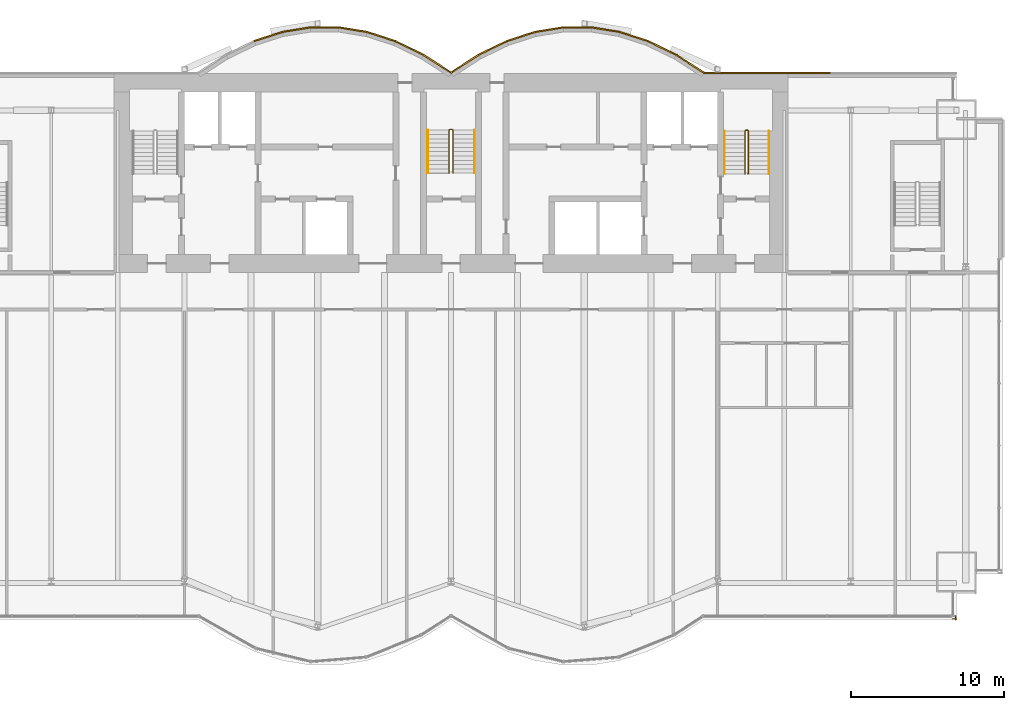
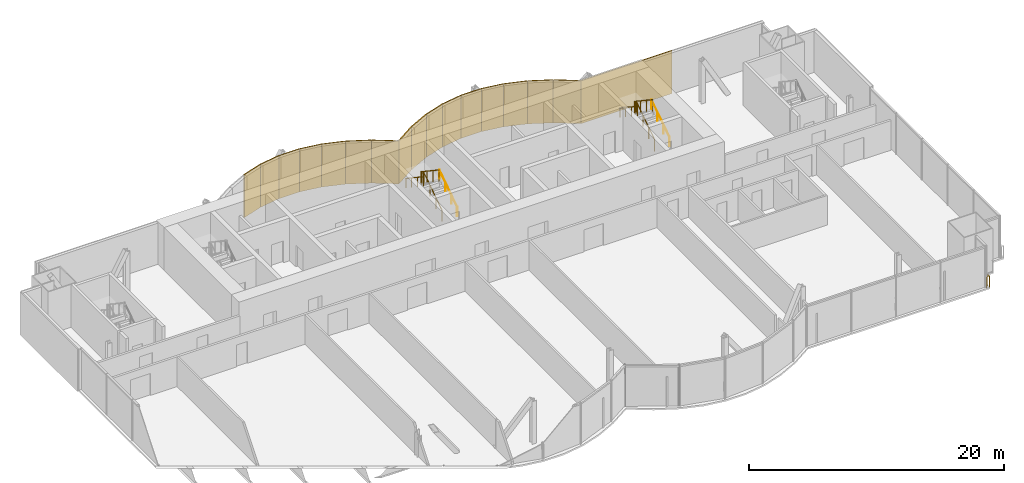
# One storey, part 21 of 22: 17 coverings, 7 railings.
"""IFC4 building model written with IfcOpenShell, lengths in metres."""

import ifcopenshell
import ifcopenshell.guid

model = None  # the IFC model being written
_history = None  # IfcOwnerHistory: only IFC2X3 demands one
_inside = {}  # id of a spatial element -> (the spatial element, [elements in it])
_under = {}  # id of a project, library or spatial element -> (it, [spatial elements below it])
_declared = {}  # id of a project -> (the project, [libraries it declares])
_typed = {}  # id of a type object -> (the type object, [elements of that type])
_made_of = {}  # id of a material, layer set ... -> (it, [elements and type objects made of it])


def new_model(schema):
    """Start an empty IFC model of exactly this schema.

    Asked for "IFC4X3", IfcOpenShell would pick the latest addendum, in which some entities
    have other attributes; the version numbers below select the first issue.
    IFC2X3 requires an IfcOwnerHistory on every rooted entity: one is made here for all.
    """
    global model, _history
    if schema == "IFC4X3":
        model = ifcopenshell.file(schema_version=(4, 3, 0, 0))
    else:
        model = ifcopenshell.file(schema=schema)
    _inside.clear()
    _under.clear()
    _declared.clear()
    _typed.clear()
    _made_of.clear()
    _history = None
    if model.schema == "IFC2X3":
        org = make("IfcOrganization", Name="unknown")
        user = make(
            "IfcPersonAndOrganization",
            ThePerson=make("IfcPerson", FamilyName="unknown"),
            TheOrganization=org,
        )
        app = make(
            "IfcApplication",
            ApplicationDeveloper=org,
            Version="unknown",
            ApplicationFullName="unknown",
            ApplicationIdentifier="unknown",
        )
        _history = make(
            "IfcOwnerHistory",
            OwningUser=user,
            OwningApplication=app,
            ChangeAction="ADDED",
            CreationDate=0,
        )
    return model


def make(cls, **values):
    """One entity of the class cls with the attributes given. An attribute that is None is left unset."""
    return model.create_entity(
        cls, **{name: value for name, value in values.items() if value is not None}
    )


def rooted(cls, **values):
    """An entity with a GlobalId (a new one), such as an element, a storey or a relation."""
    return make(cls, GlobalId=ifcopenshell.guid.new(), OwnerHistory=_history, **values)


def si_unit(unit_type, name, prefix=None):
    """IfcSIUnit, for example si_unit("LENGTHUNIT", "METRE", prefix="MILLI")."""
    return make("IfcSIUnit", UnitType=unit_type, Prefix=prefix, Name=name)


def assignment(units):
    """IfcUnitAssignment: the units of a project."""
    return None if units is None else make("IfcUnitAssignment", Units=units)


def point(xyz):
    """IfcCartesianPoint."""
    return None if xyz is None else make("IfcCartesianPoint", Coordinates=xyz)


def direction(xyz):
    """IfcDirection."""
    return None if xyz is None else make("IfcDirection", DirectionRatios=xyz)


def frame(location, z_axis=None, x_axis=None):
    """IfcAxis2Placement3D, a coordinate frame: its origin and axes. An axis left out is left unset."""
    return make(
        "IfcAxis2Placement3D",
        Location=point(location),
        Axis=direction(z_axis),
        RefDirection=direction(x_axis),
    )


def frame_2d(location, x_axis=None):
    """IfcAxis2Placement2D, a coordinate frame in the plane: its origin and x axis."""
    return make(
        "IfcAxis2Placement2D", Location=point(location), RefDirection=direction(x_axis)
    )


def origin():
    """The frame at (0, 0, 0) with its axes left unset."""
    return frame((0.0, 0.0, 0.0))


def origin_2d():
    """The frame at (0, 0) in the plane with its x axis left unset."""
    return frame_2d((0.0, 0.0))


def place(relative_to, where):
    """IfcLocalPlacement: puts the frame where relative to a parent placement (None: the world)."""
    return make(
        "IfcLocalPlacement", PlacementRelTo=relative_to, RelativePlacement=where
    )


def context(
    kind, dimensions, precision=None, world=None, true_north=None, identifier=None
):
    """IfcGeometricRepresentationContext, for example the 3D "Model" context."""
    return make(
        "IfcGeometricRepresentationContext",
        ContextIdentifier=identifier,
        ContextType=kind,
        CoordinateSpaceDimension=dimensions,
        Precision=precision,
        WorldCoordinateSystem=world,
        TrueNorth=true_north,
    )


def subcontext(parent, identifier, kind, view, scale=None):
    """IfcGeometricRepresentationSubContext, for example "Body" below "Model"."""
    return make(
        "IfcGeometricRepresentationSubContext",
        ContextIdentifier=identifier,
        ContextType=kind,
        ParentContext=parent,
        TargetScale=scale,
        TargetView=view,
    )


def project(units=None, contexts=None):
    """IfcProject with its units and contexts."""
    return rooted(
        "IfcProject",
        Name="project",
        RepresentationContexts=contexts,
        UnitsInContext=assignment(units),
    )


def spatial(cls, under=None, at=None, **own):
    """A site, building, storey or space (cls), placed at a placement, below another one or the project."""
    s = rooted(cls, ObjectPlacement=at, **own)
    if under is not None:
        _under.setdefault(under.id(), (under, []))[1].append(s)
    return s


def profile(cls, at=None, kind="AREA", **sizes):
    """A parametric profile (cls). Its sizes go by their IFC names, for example OverallWidth=200.0."""
    return make(cls, ProfileType=kind, Position=at, **sizes)


def rectangle(**sizes):
    """IfcRectangleProfileDef."""
    return profile("IfcRectangleProfileDef", **sizes)


def circle(**sizes):
    """IfcCircleProfileDef."""
    return profile("IfcCircleProfileDef", **sizes)


def extrude(swept, where, along, depth):
    """IfcExtrudedAreaSolid: the profile swept, set in the frame where, extruded along a direction by depth."""
    return make(
        "IfcExtrudedAreaSolid",
        SweptArea=swept,
        Position=where,
        ExtrudedDirection=direction(along),
        Depth=depth,
    )


def shape(context_of_items, identifier, shape_type, items):
    """IfcShapeRepresentation: the items that make up one representation, for example the "Body"."""
    return make(
        "IfcShapeRepresentation",
        ContextOfItems=context_of_items,
        RepresentationIdentifier=identifier,
        RepresentationType=shape_type,
        Items=items,
    )


def material(Name=None, Category=None):
    """IfcMaterial."""
    return make("IfcMaterial", Name=Name, Category=Category)


def layer(
    of_material, thickness, ventilated=None, Name=None, Category=None, Priority=None
):
    """IfcMaterialLayer: one layer of a wall or slab, of a material (None: an air gap)."""
    return make(
        "IfcMaterialLayer",
        Material=of_material,
        LayerThickness=thickness,
        IsVentilated=ventilated,
        Name=Name,
        Category=Category,
        Priority=Priority,
    )


def layer_set(layers, Name=None):
    """IfcMaterialLayerSet."""
    return make("IfcMaterialLayerSet", MaterialLayers=layers, LayerSetName=Name)


def made_of(thing, what):
    """Note that an element or type object is made of a material, layer set ...; save() writes the relation."""
    if what is not None:
        _made_of.setdefault(what.id(), (what, []))[1].append(thing)
    return thing


def type_object(cls, material=None, **own):
    """A type object (cls), such as IfcWallType, which elements share."""
    return made_of(rooted(cls, **own), material)


def element(
    cls,
    number,
    at=None,
    inside=None,
    cuts=None,
    type_object=None,
    material=None,
    context=None,
    identifier="Body",
    shape_type=None,
    held_by="IfcProductDefinitionShape",
    body=None,
    shapes=None,
    **own,
):
    """One element of the class cls, such as IfcWall. Its Tag is "e" and its number.

    at: its placement. inside: the storey or other place that contains it. cuts: it is an
    opening in that element (IfcRelVoidsElement). A single representation is given by context,
    identifier, shape_type and body (its items); several are given by shapes. held_by: the class
    of the entity that holds the representations. save() writes the other relations.
    """
    e = rooted(cls, Tag="e%d" % number, ObjectPlacement=at, **own)
    if body is not None:
        shapes = [shape(context, identifier, shape_type, body)]
    if shapes is not None:
        e.Representation = make(held_by, Representations=shapes)
    if inside is not None:
        _inside.setdefault(inside.id(), (inside, []))[1].append(e)
    if cuts is not None:
        rooted(
            "IfcRelVoidsElement", RelatingBuildingElement=cuts, RelatedOpeningElement=e
        )
    if type_object is not None:
        _typed.setdefault(type_object.id(), (type_object, []))[1].append(e)
    return made_of(e, material)


def aggregate(whole, parts):
    """IfcRelAggregates: a whole, such as a stair, and the parts it consists of."""
    return rooted("IfcRelAggregates", RelatingObject=whole, RelatedObjects=parts)


def save(model, path):
    """Write the relations noted so far, then the file.

    IfcRelAggregates (storeys below a building ...), IfcRelContainedInSpatialStructure (elements
    in a storey), IfcRelDefinesByType, IfcRelAssociatesMaterial and IfcRelDeclares: one each for
    every whole, place, type object, material and project.
    """
    for whole, parts in _under.values():
        aggregate(whole, parts)
    for where, things in _inside.values():
        rooted(
            "IfcRelContainedInSpatialStructure",
            RelatedElements=things,
            RelatingStructure=where,
        )
    for kind, things in _typed.values():
        rooted("IfcRelDefinesByType", RelatedObjects=things, RelatingType=kind)
    for what, things in _made_of.values():
        rooted("IfcRelAssociatesMaterial", RelatedObjects=things, RelatingMaterial=what)
    for by, libraries in _declared.values():
        rooted("IfcRelDeclares", RelatingContext=by, RelatedDefinitions=libraries)
    model.write(path)


model = new_model("IFC4")

# Units and contexts
model_context = context("Model", 3, precision=1e-05, world=origin(), true_north=direction((0.0, 1.0)))
body_context = subcontext(model_context, "Body", "Model", "MODEL_VIEW")
ifc_project = project(units=[si_unit("LENGTHUNIT", "METRE"), si_unit("AREAUNIT", "SQUARE_METRE"), si_unit("VOLUMEUNIT", "CUBIC_METRE"), si_unit("PLANEANGLEUNIT", "RADIAN"), si_unit("MASSUNIT", "GRAM", prefix="KILO")], contexts=[model_context])

# Site, building, storey
site_placement = place(None, origin())
site = spatial("IfcSite", under=ifc_project, at=site_placement, CompositionType="ELEMENT")
building_placement = place(site_placement, origin())
building = spatial("IfcBuilding", under=site, at=building_placement, Name="Bicima Exchange Tower", CompositionType="ELEMENT")
storey_placement = place(building_placement, frame((0.0, 0.0, 148.60009765625)))
storey = spatial("IfcBuildingStorey", under=building, at=storey_placement, Name="L32", CompositionType="ELEMENT", Elevation=148.60009765625)

# Coverings
ifc_material_1 = material(Name="Bronze metal cladding")
ifc_layer_1 = layer(ifc_material_1, 0.004)
ifc_material_2 = material(Name="Ventilated cavity")
ifc_layer_2 = layer(ifc_material_2, 0.06)
ifc_material_3 = material(Name="Galvanised steel rail and mineral wool", Category="steel")
ifc_layer_3 = layer(ifc_material_3, 0.036)
ifc_layer_set = layer_set([ifc_layer_1, ifc_layer_2, ifc_layer_3], Name="Ventilated cavity")
covering_type = type_object("IfcCoveringType", Name="Bronze metal cladding panel 100", PredefinedType="CLADDING", material=ifc_layer_set)
covering_1_placement = place(storey_placement, frame((20.625, 0.050048828125, -0.150146484375), z_axis=(0.0, 0.0, 1.0), x_axis=(-1.0, 0.0, 0.0)))
element("IfcCovering", 1, at=covering_1_placement, inside=storey, type_object=covering_type, Name="Bronze cladding L32 1.2", PredefinedType="CLADDING", context=body_context, shape_type="SweptSolid", body=[
    extrude(rectangle(XDim=8.25, YDim=0.10009765625, at=origin_2d()), origin(), (0.0, 0.0, 1.0), 4.10009765625),
])
covering_2_placement = place(storey_placement, frame((15.610595703125, 0.634521484375, -0.150146484375), z_axis=(0.0, 0.0, 1.0), x_axis=(-0.839790466384, 0.542910648791, 0.0)))
element("IfcCovering", 2, at=covering_2_placement, inside=storey, type_object=covering_type, Name="Bronze cladding L32 2.1", PredefinedType="CLADDING", context=body_context, shape_type="SweptSolid", body=[
    extrude(rectangle(XDim=2.18310546875, YDim=0.10009765625, at=origin_2d()), origin(), (0.0, 0.0, 1.0), 4.10009765625),
])
covering_3_placement = place(storey_placement, frame((13.771728515625, 1.674560546875, -0.150146484375), z_axis=(0.0, 0.0, 1.0), x_axis=(-0.899818346812, 0.436264762204, 0.0)))
element("IfcCovering", 3, at=covering_3_placement, inside=storey, type_object=covering_type, Name="Bronze cladding L32 3.1", PredefinedType="CLADDING", context=body_context, shape_type="SweptSolid", body=[
    extrude(rectangle(XDim=2.03759765625, YDim=0.10009765625, at=origin_2d()), origin(), (0.0, 0.0, 1.0), 4.10009765625),
])
covering_4_placement = place(storey_placement, frame((11.931884765625, 2.41796875, -0.150146484375), z_axis=(0.0, 0.0, 1.0), x_axis=(-0.951524642381, 0.307572519808, 0.0)))
element("IfcCovering", 4, at=covering_4_placement, inside=storey, type_object=covering_type, Name="Bronze cladding L32 4.1", PredefinedType="CLADDING", context=body_context, shape_type="SweptSolid", body=[
    extrude(rectangle(XDim=1.9267578125, YDim=0.10009765625, at=origin_2d()), origin(), (0.0, 0.0, 1.0), 4.10009765625),
])
covering_5_placement = place(storey_placement, frame((10.09130859375, 2.8642578125, -0.150146484375), z_axis=(0.0, 0.0, 1.0), x_axis=(-0.987189786347, 0.159550386184, 0.0)))
element("IfcCovering", 5, at=covering_5_placement, inside=storey, type_object=covering_type, Name="Bronze cladding L32 5.1", PredefinedType="CLADDING", context=body_context, shape_type="SweptSolid", body=[
    extrude(rectangle(XDim=1.857177734375, YDim=0.10009765625, at=origin_2d()), origin(), (0.0, 0.0, 1.0), 4.10009765625),
])
covering_6_placement = place(storey_placement, frame((8.25, 3.012939453125, -0.150146484375), z_axis=(0.0, 0.0, 1.0), x_axis=(-1.0, 0.0, 0.0)))
element("IfcCovering", 6, at=covering_6_placement, inside=storey, type_object=covering_type, Name="Bronze cladding L32 6.1", PredefinedType="CLADDING", context=body_context, shape_type="SweptSolid", body=[
    extrude(rectangle(XDim=1.83349609375, YDim=0.10009765625, at=origin_2d()), origin(), (0.0, 0.0, 1.0), 4.10009765625),
])
covering_7_placement = place(storey_placement, frame((6.40869140625, 2.8642578125, -0.150146484375), z_axis=(0.0, 0.0, 1.0), x_axis=(-0.987189786347, -0.159550386184, 0.0)))
element("IfcCovering", 7, at=covering_7_placement, inside=storey, type_object=covering_type, Name="Bronze cladding L32 7.1", PredefinedType="CLADDING", context=body_context, shape_type="SweptSolid", body=[
    extrude(rectangle(XDim=1.857177734375, YDim=0.10009765625, at=origin_2d()), origin(), (0.0, 0.0, 1.0), 4.10009765625),
])
covering_8_placement = place(storey_placement, frame((4.568115234375, 2.41796875, -0.150146484375), z_axis=(0.0, 0.0, 1.0), x_axis=(-0.951524642381, -0.307572519808, 0.0)))
element("IfcCovering", 8, at=covering_8_placement, inside=storey, type_object=covering_type, Name="Bronze cladding L32 8.1", PredefinedType="CLADDING", context=body_context, shape_type="SweptSolid", body=[
    extrude(rectangle(XDim=1.9267578125, YDim=0.10009765625, at=origin_2d()), origin(), (0.0, 0.0, 1.0), 4.10009765625),
])
covering_9_placement = place(storey_placement, frame((2.728271484375, 1.674560546875, -0.150146484375), z_axis=(0.0, 0.0, 1.0), x_axis=(-0.899818346812, -0.436264762204, 0.0)))
element("IfcCovering", 9, at=covering_9_placement, inside=storey, type_object=covering_type, Name="Bronze cladding L32 9.1", PredefinedType="CLADDING", context=body_context, shape_type="SweptSolid", body=[
    extrude(rectangle(XDim=2.03759765625, YDim=0.10009765625, at=origin_2d()), origin(), (0.0, 0.0, 1.0), 4.10009765625),
])
for number, where, z_axis, x_axis, name in (
    (10, (0.889404296875, 0.634521484375, -0.150146484375), (0.0, 0.0, 1.0), (-0.839790466384, -0.542910648791, 0.0), "Bronze cladding L32 10.1"),
    (11, (-0.889404296875, 0.634521484375, -0.150146484375), (0.0, 0.0, 1.0), (-0.839790466384, 0.542910648791, 0.0), "Bronze cladding L32 11.1"),
):
    element("IfcCovering", number, at=place(storey_placement, frame(where, z_axis=z_axis, x_axis=x_axis)), inside=storey, type_object=covering_type, Name=name, PredefinedType="CLADDING", context=body_context, shape_type="SweptSolid", body=[
        extrude(rectangle(XDim=2.18310546875, YDim=0.10009765625, at=origin_2d()), origin(), (0.0, 0.0, 1.0), 4.10009765625),
    ])
covering_10_placement = place(storey_placement, frame((-2.728271484375, 1.674560546875, -0.150146484375), z_axis=(0.0, 0.0, 1.0), x_axis=(-0.899818346812, 0.436264762204, 0.0)))
element("IfcCovering", 12, at=covering_10_placement, inside=storey, type_object=covering_type, Name="Bronze cladding L32 12.1", PredefinedType="CLADDING", context=body_context, shape_type="SweptSolid", body=[
    extrude(rectangle(XDim=2.03759765625, YDim=0.10009765625, at=origin_2d()), origin(), (0.0, 0.0, 1.0), 4.10009765625),
])
covering_11_placement = place(storey_placement, frame((-4.568115234375, 2.41796875, -0.150146484375), z_axis=(0.0, 0.0, 1.0), x_axis=(-0.951524642381, 0.307572519808, 0.0)))
element("IfcCovering", 13, at=covering_11_placement, inside=storey, type_object=covering_type, Name="Bronze cladding L32 13.1", PredefinedType="CLADDING", context=body_context, shape_type="SweptSolid", body=[
    extrude(rectangle(XDim=1.9267578125, YDim=0.10009765625, at=origin_2d()), origin(), (0.0, 0.0, 1.0), 4.10009765625),
])
covering_12_placement = place(storey_placement, frame((-6.40869140625, 2.8642578125, -0.150146484375), z_axis=(0.0, 0.0, 1.0), x_axis=(-0.987189786347, 0.159550386184, 0.0)))
element("IfcCovering", 14, at=covering_12_placement, inside=storey, type_object=covering_type, Name="Bronze cladding L32 14.1", PredefinedType="CLADDING", context=body_context, shape_type="SweptSolid", body=[
    extrude(rectangle(XDim=1.857177734375, YDim=0.10009765625, at=origin_2d()), origin(), (0.0, 0.0, 1.0), 4.10009765625),
])
covering_13_placement = place(storey_placement, frame((-8.25, 3.012939453125, -0.150146484375), z_axis=(0.0, 0.0, 1.0), x_axis=(-1.0, 0.0, 0.0)))
element("IfcCovering", 15, at=covering_13_placement, inside=storey, type_object=covering_type, Name="Bronze cladding L32 15.1", PredefinedType="CLADDING", context=body_context, shape_type="SweptSolid", body=[
    extrude(rectangle(XDim=1.83349609375, YDim=0.10009765625, at=origin_2d()), origin(), (0.0, 0.0, 1.0), 4.10009765625),
])
covering_14_placement = place(storey_placement, frame((-10.09130859375, 2.8642578125, -0.150146484375), z_axis=(0.0, 0.0, 1.0), x_axis=(-0.987189786347, -0.159550386184, 0.0)))
element("IfcCovering", 16, at=covering_14_placement, inside=storey, type_object=covering_type, Name="Bronze cladding L32 16.1", PredefinedType="CLADDING", context=body_context, shape_type="SweptSolid", body=[
    extrude(rectangle(XDim=1.857177734375, YDim=0.10009765625, at=origin_2d()), origin(), (0.0, 0.0, 1.0), 4.10009765625),
])
covering_15_placement = place(storey_placement, frame((-11.931884765625, 2.41796875, -0.150146484375), z_axis=(0.0, 0.0, 1.0), x_axis=(-0.951524642381, -0.307572519808, 0.0)))
element("IfcCovering", 17, at=covering_15_placement, inside=storey, type_object=covering_type, Name="Bronze cladding L32 17.1", PredefinedType="CLADDING", context=body_context, shape_type="SweptSolid", body=[
    extrude(rectangle(XDim=1.9267578125, YDim=0.10009765625, at=origin_2d()), origin(), (0.0, 0.0, 1.0), 4.10009765625),
])

# Railings
ifc_material_4 = material(Name="Stainless steel and bonded safety glass", Category="steel")
railing_type_1 = type_object("IfcRailingType", Name="Edge guard 1100", PredefinedType="GUARDRAIL", material=ifc_material_4)
railing_1_placement = place(storey_placement, frame((32.949951171875, -35.4130859375, 0.0)))
element("IfcRailing", 18, at=railing_1_placement, inside=storey, type_object=railing_type_1, Name="Edge guard L32 158", PredefinedType="GUARDRAIL", context=body_context, shape_type="SweptSolid", body=[
    extrude(circle(Radius=0.02392578125, at=origin_2d()), frame((0.0, 0.0, 1.076171875), z_axis=(0.0, -1.0, 0.0), x_axis=(1.0, 0.0, 0.0)), (0.0, 0.0, 1.0), 0.242919921875),
    extrude(circle(Radius=0.02392578125, at=origin_2d()), frame((0.0, -0.242919921875, 1.076171875), z_axis=(0.707106781187, 0.707106781187, 0.0), x_axis=(-0.707106781187, 0.707106781187, 0.0)), (0.0, 0.0, 1.0), 0.07080078125),
    extrude(circle(Radius=0.02392578125, at=origin_2d()), frame((0.050048828125, -0.19287109375, 1.076171875), z_axis=(-1.0, 0.0, 0.0), x_axis=(0.0, -1.0, 0.0)), (0.0, 0.0, 1.0), 0.25),
    extrude(circle(Radius=0.02099609375, at=origin_2d()), origin(), (0.0, 0.0, 1.0), 1.052001953125),
    extrude(circle(Radius=0.02099609375, at=origin_2d()), frame((0.0, -0.242919921875, 0.0)), (0.0, 0.0, 1.0), 1.052001953125),
    extrude(circle(Radius=0.02099609375, at=origin_2d()), frame((0.050048828125, -0.19287109375, 0.0)), (0.0, 0.0, 1.0), 1.052001953125),
    extrude(circle(Radius=0.02099609375, at=origin_2d()), frame((-0.199951171875, -0.19287109375, 0.0)), (0.0, 0.0, 1.0), 1.052001953125),
])
ifc_material_5 = material(Name="Stainless steel", Category="steel")
railing_type_2 = type_object("IfcRailingType", Name="Stair guard 1100", PredefinedType="GUARDRAIL", material=ifc_material_5)
railing_2_placement = place(storey_placement, frame((0.125, -6.5, 0.186279296875)))
element("IfcRailing", 19, at=railing_2_placement, inside=storey, type_object=railing_type_2, Name="L32 ST-C stair guard 1", PredefinedType="GUARDRAIL", context=body_context, shape_type="SweptSolid", body=[
    extrude(circle(Radius=0.02392578125, at=origin_2d()), frame((0.0, 0.0, 1.076171875), z_axis=(0.0, 0.832485552168, 0.554046753832), x_axis=(-1.0, 0.0, 0.0)), (0.0, 0.0, 1.0), 3.363525390625),
    extrude(circle(Radius=0.02392578125, at=origin_2d()), frame((0.0, 2.800048828125, 2.939453125), z_axis=(-0.707106781187, 0.707106781187, 0.0), x_axis=(-0.707106781187, -0.707106781187, 0.0)), (0.0, 0.0, 1.0), 0.07080078125),
    extrude(circle(Radius=0.02392578125, at=origin_2d()), frame((-0.050048828125, 2.85009765625, 2.939453125), z_axis=(-1.0, 0.0, 0.0), x_axis=(0.0, -1.0, 0.0)), (0.0, 0.0, 1.0), 0.14990234375),
    extrude(circle(Radius=0.02392578125, at=origin_2d()), frame((-0.199951171875, 2.85009765625, 2.939453125), z_axis=(-0.250869701741, -0.250869701741, 0.934948546978), x_axis=(0.707106781187, -0.707106781187, 0.0)), (0.0, 0.0, 1.0), 0.199462890625),
    extrude(circle(Radius=0.02392578125, at=origin_2d()), frame((-0.25, 2.800048828125, 3.1259765625), z_axis=(0.0, -0.832485552168, 0.554046753832), x_axis=(1.0, 0.0, 0.0)), (0.0, 0.0, 1.0), 3.363525390625),
    extrude(circle(Radius=0.02099609375, at=origin_2d()), origin(), (0.0, 0.0, 1.0), 1.052001953125),
    extrude(circle(Radius=0.02099609375, at=origin_2d()), frame((0.0, 0.933349609375, 0.62109375)), (0.0, 0.0, 1.0), 1.052001953125),
    extrude(circle(Radius=0.02099609375, at=origin_2d()), frame((0.0, 1.86669921875, 1.242431640625)), (0.0, 0.0, 1.0), 1.052001953125),
    extrude(circle(Radius=0.02099609375, at=origin_2d()), frame((0.0, 2.800048828125, 1.863525390625)), (0.0, 0.0, 1.0), 1.052001953125),
    extrude(circle(Radius=0.02099609375, at=origin_2d()), frame((-0.050048828125, 2.85009765625, 1.863525390625)), (0.0, 0.0, 1.0), 1.052001953125),
    extrude(circle(Radius=0.02099609375, at=origin_2d()), frame((-0.199951171875, 2.85009765625, 1.863525390625)), (0.0, 0.0, 1.0), 1.052001953125),
    extrude(circle(Radius=0.02099609375, at=origin_2d()), frame((-0.25, 2.800048828125, 2.050048828125)), (0.0, 0.0, 1.0), 1.052001953125),
    extrude(circle(Radius=0.02099609375, at=origin_2d()), frame((-0.25, 1.86669921875, 2.671142578125)), (0.0, 0.0, 1.0), 1.052001953125),
    extrude(circle(Radius=0.02099609375, at=origin_2d()), frame((-0.25, 0.933349609375, 3.29248046875)), (0.0, 0.0, 1.0), 1.052001953125),
    extrude(circle(Radius=0.02099609375, at=origin_2d()), frame((-0.25, 0.0, 3.91357421875)), (0.0, 0.0, 1.0), 1.052001953125),
])
railing_3_placement = place(storey_placement, frame((19.39990234375, -6.550048828125, 0.186279296875)))
element("IfcRailing", 20, at=railing_3_placement, inside=storey, type_object=railing_type_2, Name="L32 ST-E stair guard 1", PredefinedType="GUARDRAIL", context=body_context, shape_type="SweptSolid", body=[
    extrude(circle(Radius=0.02392578125, at=origin_2d()), frame((0.0, 0.0, 1.076171875), z_axis=(0.0, 0.832485552168, 0.554046753832), x_axis=(-1.0, 0.0, 0.0)), (0.0, 0.0, 1.0), 3.363525390625),
    extrude(circle(Radius=0.02392578125, at=origin_2d()), frame((0.0, 2.800048828125, 2.939453125), z_axis=(-0.705375805398, 0.708833529934, 0.0), x_axis=(-0.708833529934, -0.705375805398, 0.0)), (0.0, 0.0, 1.0), 0.070556640625),
    extrude(circle(Radius=0.02392578125, at=origin_2d()), frame((-0.0498046875, 2.85009765625, 2.939453125), z_axis=(-1.0, 0.0, 0.0), x_axis=(0.0, -1.0, 0.0)), (0.0, 0.0, 1.0), 0.10009765625),
    extrude(circle(Radius=0.02392578125, at=origin_2d()), frame((-0.14990234375, 2.85009765625, 2.939453125), z_axis=(-0.250869701741, -0.250869701741, 0.934948546978), x_axis=(0.707106781187, -0.707106781187, 0.0)), (0.0, 0.0, 1.0), 0.199462890625),
    extrude(circle(Radius=0.02392578125, at=origin_2d()), frame((-0.199951171875, 2.800048828125, 3.1259765625), z_axis=(0.0, -0.832485552168, 0.554046753832), x_axis=(1.0, 0.0, 0.0)), (0.0, 0.0, 1.0), 3.363525390625),
    extrude(circle(Radius=0.02099609375, at=origin_2d()), origin(), (0.0, 0.0, 1.0), 1.052001953125),
    extrude(circle(Radius=0.02099609375, at=origin_2d()), frame((0.0, 0.933349609375, 0.62109375)), (0.0, 0.0, 1.0), 1.052001953125),
    extrude(circle(Radius=0.02099609375, at=origin_2d()), frame((0.0, 1.86669921875, 1.242431640625)), (0.0, 0.0, 1.0), 1.052001953125),
    extrude(circle(Radius=0.02099609375, at=origin_2d()), frame((0.0, 2.800048828125, 1.863525390625)), (0.0, 0.0, 1.0), 1.052001953125),
    extrude(circle(Radius=0.02099609375, at=origin_2d()), frame((-0.0498046875, 2.85009765625, 1.863525390625)), (0.0, 0.0, 1.0), 1.052001953125),
    extrude(circle(Radius=0.02099609375, at=origin_2d()), frame((-0.14990234375, 2.85009765625, 1.863525390625)), (0.0, 0.0, 1.0), 1.052001953125),
    extrude(circle(Radius=0.02099609375, at=origin_2d()), frame((-0.199951171875, 2.800048828125, 2.050048828125)), (0.0, 0.0, 1.0), 1.052001953125),
    extrude(circle(Radius=0.02099609375, at=origin_2d()), frame((-0.199951171875, 1.86669921875, 2.671142578125)), (0.0, 0.0, 1.0), 1.052001953125),
    extrude(circle(Radius=0.02099609375, at=origin_2d()), frame((-0.199951171875, 0.933349609375, 3.29248046875)), (0.0, 0.0, 1.0), 1.052001953125),
    extrude(circle(Radius=0.02099609375, at=origin_2d()), frame((-0.199951171875, 0.0, 3.91357421875)), (0.0, 0.0, 1.0), 1.052001953125),
])
railing_type_3 = type_object("IfcRailingType", Name="Stair handrail 900", PredefinedType="HANDRAIL", material=ifc_material_5)
railing_4_placement = place(storey_placement, frame((1.52490234375, -6.5, 0.186279296875)))
element("IfcRailing", 21, at=railing_4_placement, inside=storey, type_object=railing_type_3, Name="L32 ST-C stair handrail 1", PredefinedType="HANDRAIL", context=body_context, shape_type="SweptSolid", body=[
    extrude(circle(Radius=0.02392578125, at=origin_2d()), frame((0.0, 0.0, 0.8759765625), z_axis=(0.0, 0.832485552168, 0.554046753832), x_axis=(-1.0, 0.0, 0.0)), (0.0, 0.0, 1.0), 3.363525390625),
    extrude(circle(Radius=0.02099609375, at=origin_2d()), origin(), (0.0, 0.0, 1.0), 0.851806640625),
    extrude(circle(Radius=0.02099609375, at=origin_2d()), frame((0.0, 0.933349609375, 0.62109375)), (0.0, 0.0, 1.0), 0.851806640625),
    extrude(circle(Radius=0.02099609375, at=origin_2d()), frame((0.0, 1.86669921875, 1.242431640625)), (0.0, 0.0, 1.0), 0.851806640625),
    extrude(circle(Radius=0.02099609375, at=origin_2d()), frame((0.0, 2.800048828125, 1.863525390625)), (0.0, 0.0, 1.0), 0.851806640625),
])
railing_5_placement = place(storey_placement, frame((-1.52490234375, -3.699951171875, 2.276611328125)))
element("IfcRailing", 22, at=railing_5_placement, inside=storey, type_object=railing_type_3, Name="L32 ST-C stair handrail 2", PredefinedType="HANDRAIL", context=body_context, shape_type="SweptSolid", body=[
    extrude(circle(Radius=0.02392578125, at=origin_2d()), frame((0.0, 0.0, 0.8759765625), z_axis=(0.0, -0.832452072856, 0.554097055034), x_axis=(1.0, 0.0, 0.0)), (0.0, 0.0, 1.0), 3.363525390625),
    extrude(circle(Radius=0.02099609375, at=origin_2d()), origin(), (0.0, 0.0, 1.0), 0.851806640625),
    extrude(circle(Radius=0.02099609375, at=origin_2d()), frame((0.0, -0.933349609375, 0.621337890625)), (0.0, 0.0, 1.0), 0.851806640625),
    extrude(circle(Radius=0.02099609375, at=origin_2d()), frame((0.0, -1.86669921875, 1.242431640625)), (0.0, 0.0, 1.0), 0.851806640625),
    extrude(circle(Radius=0.02099609375, at=origin_2d()), frame((0.0, -2.800048828125, 1.86376953125)), (0.0, 0.0, 1.0), 0.851806640625),
])
railing_6_placement = place(storey_placement, frame((20.75, -6.550048828125, 0.186279296875)))
element("IfcRailing", 23, at=railing_6_placement, inside=storey, type_object=railing_type_3, Name="L32 ST-E stair handrail 1", PredefinedType="HANDRAIL", context=body_context, shape_type="SweptSolid", body=[
    extrude(circle(Radius=0.02392578125, at=origin_2d()), frame((0.0, 0.0, 0.8759765625), z_axis=(0.0, 0.832485552168, 0.554046753832), x_axis=(-1.0, 0.0, 0.0)), (0.0, 0.0, 1.0), 3.363525390625),
    extrude(circle(Radius=0.02099609375, at=origin_2d()), origin(), (0.0, 0.0, 1.0), 0.851806640625),
    extrude(circle(Radius=0.02099609375, at=origin_2d()), frame((0.0, 0.933349609375, 0.62109375)), (0.0, 0.0, 1.0), 0.851806640625),
    extrude(circle(Radius=0.02099609375, at=origin_2d()), frame((0.0, 1.86669921875, 1.242431640625)), (0.0, 0.0, 1.0), 0.851806640625),
    extrude(circle(Radius=0.02099609375, at=origin_2d()), frame((0.0, 2.800048828125, 1.863525390625)), (0.0, 0.0, 1.0), 0.851806640625),
])
railing_7_placement = place(storey_placement, frame((17.85009765625, -3.75, 2.276611328125)))
element("IfcRailing", 24, at=railing_7_placement, inside=storey, type_object=railing_type_3, Name="L32 ST-E stair handrail 2", PredefinedType="HANDRAIL", context=body_context, shape_type="SweptSolid", body=[
    extrude(circle(Radius=0.02392578125, at=origin_2d()), frame((0.0, 0.0, 0.8759765625), z_axis=(0.0, -0.832452072856, 0.554097055034), x_axis=(1.0, 0.0, 0.0)), (0.0, 0.0, 1.0), 3.363525390625),
    extrude(circle(Radius=0.02099609375, at=origin_2d()), origin(), (0.0, 0.0, 1.0), 0.851806640625),
    extrude(circle(Radius=0.02099609375, at=origin_2d()), frame((0.0, -0.933349609375, 0.621337890625)), (0.0, 0.0, 1.0), 0.851806640625),
    extrude(circle(Radius=0.02099609375, at=origin_2d()), frame((0.0, -1.86669921875, 1.242431640625)), (0.0, 0.0, 1.0), 0.851806640625),
    extrude(circle(Radius=0.02099609375, at=origin_2d()), frame((0.0, -2.800048828125, 1.86376953125)), (0.0, 0.0, 1.0), 0.851806640625),
])

save(model, "model.ifc")
